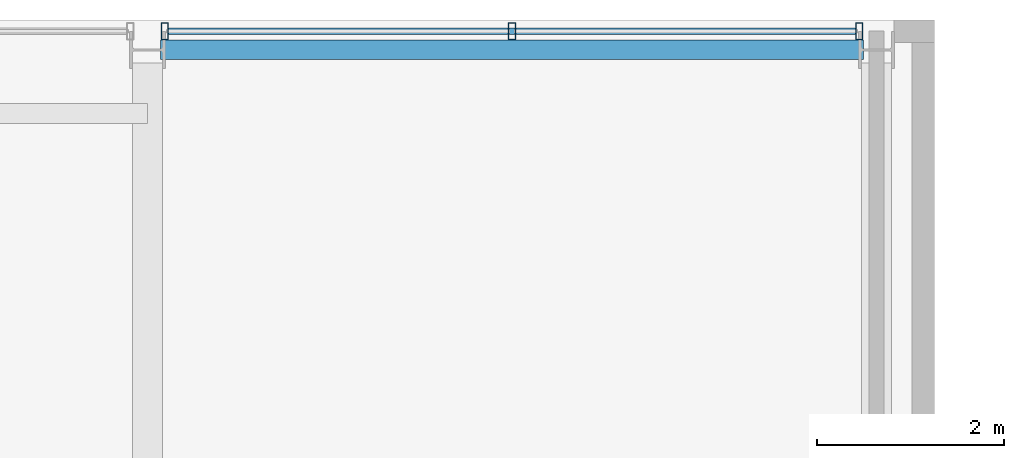
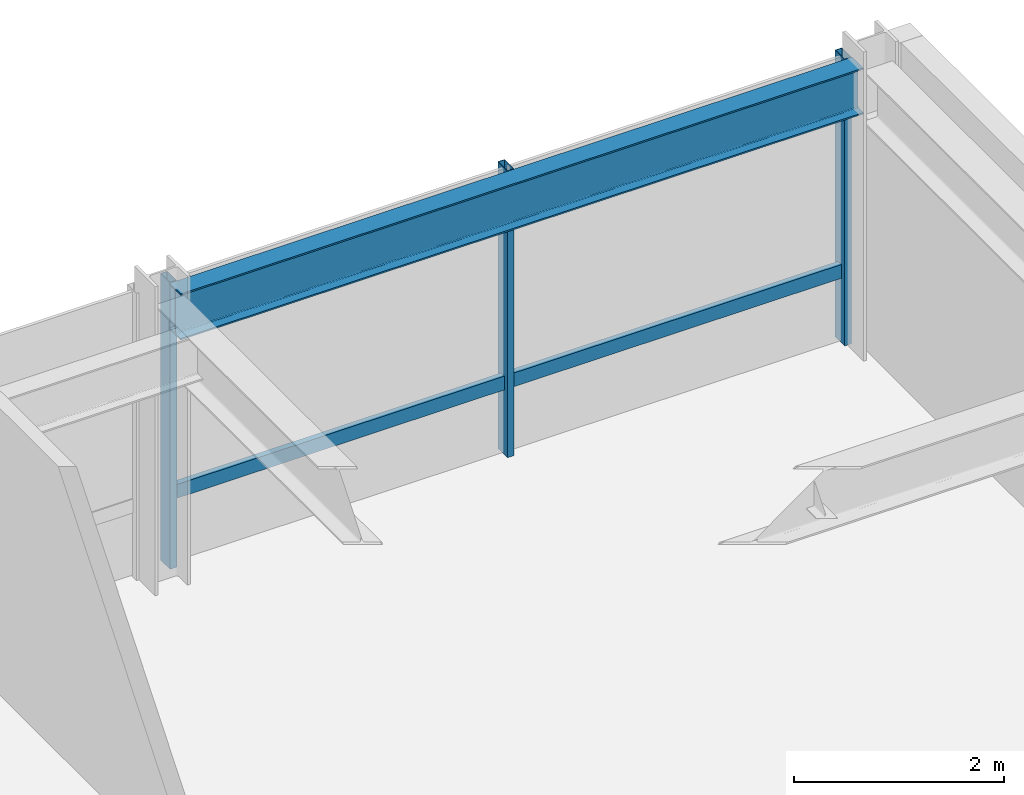
# One storey, part 24 of 32: 4 members, 1 beam, 1 element without a shape of its own.
"""IFC4 building model written with IfcOpenShell, lengths in metres."""

from ifc_helpers import new_model, si_unit, direction, frame, origin, origin_2d, place, context, subcontext, project, spatial, hollow_rectangle, i_section, extrude, material, layer, layer_set, material_profile, profile_set, type_object, element, aggregate, save


model = new_model("IFC4")

# Units and contexts
model_context = context("Model", 3, precision=1e-05, world=origin(), true_north=direction((0.0, 1.0)))
body_context = subcontext(model_context, "Body", "Model", "MODEL_VIEW")
ifc_project = project(units=[si_unit("LENGTHUNIT", "METRE"), si_unit("AREAUNIT", "SQUARE_METRE"), si_unit("VOLUMEUNIT", "CUBIC_METRE"), si_unit("PLANEANGLEUNIT", "RADIAN"), si_unit("MASSUNIT", "GRAM", prefix="KILO")], contexts=[model_context])

# Site, building, storey
site_placement = place(None, origin())
site = spatial("IfcSite", under=ifc_project, at=site_placement, CompositionType="ELEMENT")
building_placement = place(site_placement, origin())
building = spatial("IfcBuilding", under=site, at=building_placement, Name="Drelvath Grand Hotel", CompositionType="ELEMENT")
storey_placement = place(building_placement, frame((0.0, 0.0, 226.699951171875)))
storey = spatial("IfcBuildingStorey", under=building, at=storey_placement, Name="L59", CompositionType="ELEMENT", Elevation=226.699951171875)

# Curtain wall, members
ifc_material_1 = material(Name="Platinum-Mist Anodised Aluminium Frame", Category="aluminium")
ifc_layer = layer(ifc_material_1, 0.199951171875)
ifc_layer_set = layer_set([ifc_layer], Name="Platinum-Mist Anodised Aluminium Frame")
curtain_wall_type = type_object("IfcCurtainWallType", Name="Stick Curtain Wall CW-05 Platinum Mist High-Rise", PredefinedType="NOTDEFINED", material=ifc_layer_set)
curtain_wall_placement = place(storey_placement, origin())
curtain_wall = element("IfcCurtainWall", 1, at=curtain_wall_placement, inside=storey, type_object=curtain_wall_type, Name="L59 CW-05 Curtain Wall CW05-L59-NE2", PredefinedType="NOTDEFINED")
ifc_material_profile_1 = material_profile(ifc_material_1, hollow_rectangle(XDim=0.06494140625, YDim=0.159912109375, WallThickness=0.00390625, at=origin_2d()), Name="HSS160X65X4")
ifc_profile_set_1 = profile_set([ifc_material_profile_1], Name="Platinum-Mist Anodised Aluminium Frame")
member_type_1 = type_object("IfcMemberType", Name="Curtain Wall Horizontal Transom CW-05 HSS160X65X4", PredefinedType="USERDEFINED", material=ifc_profile_set_1)
member_1_placement = place(storey_placement, frame((8.625244140625, 49.080078125, 0.8349609375), z_axis=(1.0, 0.0, 0.0), x_axis=(0.0, 1.0, 0.0)))
member_1 = element("IfcMember", 2, at=member_1_placement, type_object=member_type_1, Name="CW05-L59-NE2 Sill Transom", ObjectType="TRANSOM", PredefinedType="USERDEFINED", context=body_context, shape_type="SweptSolid", body=[
    extrude(hollow_rectangle(XDim=0.06494140625, YDim=0.159912109375, WallThickness=0.00390625, at=origin_2d()), origin(), (0.0, 0.0, 1.0), 7.349365234375),
])
ifc_material_profile_2 = material_profile(ifc_material_1, hollow_rectangle(XDim=0.074951171875, YDim=0.179931640625, WallThickness=0.0048828125, at=origin_2d()), Name="HSS180X75X5")
ifc_profile_set_2 = profile_set([ifc_material_profile_2], Name="Platinum-Mist Anodised Aluminium Frame")
member_type_2 = type_object("IfcMemberType", Name="Curtain Wall Vertical Mullion CW-05 HSS180X75X5", PredefinedType="MULLION", material=ifc_profile_set_2)
member_2_placement = place(storey_placement, frame((8.585205078125, 49.080078125, 0.0), z_axis=(0.0, 0.0, 1.0), x_axis=(1.0, 0.0, 0.0)))
member_2 = element("IfcMember", 3, at=member_2_placement, type_object=member_type_2, Name="CW05-L59-NE2 Mullion 1", PredefinedType="MULLION", context=body_context, shape_type="SweptSolid", body=[
    extrude(hollow_rectangle(XDim=0.074951171875, YDim=0.179931640625, WallThickness=0.0048828125, at=origin_2d()), origin(), (0.0, 0.0, 1.0), 3.340087890625),
])
member_3_placement = place(storey_placement, frame((12.300048828125, 49.080078125, 0.0), z_axis=(0.0, 0.0, 1.0), x_axis=(1.0, 0.0, 0.0)))
member_3 = element("IfcMember", 4, at=member_3_placement, type_object=member_type_2, Name="CW05-L59-NE2 Mullion 2", PredefinedType="MULLION", context=body_context, shape_type="SweptSolid", body=[
    extrude(hollow_rectangle(XDim=0.074951171875, YDim=0.179931640625, WallThickness=0.0048828125, at=origin_2d()), origin(), (0.0, 0.0, 1.0), 3.340087890625),
])
member_4_placement = place(storey_placement, frame((16.0146484375, 49.080078125, 0.0), z_axis=(0.0, 0.0, 1.0), x_axis=(1.0, 0.0, 0.0)))
member_4 = element("IfcMember", 5, at=member_4_placement, type_object=member_type_2, Name="CW05-L59-NE2 Mullion 3", PredefinedType="MULLION", context=body_context, shape_type="SweptSolid", body=[
    extrude(hollow_rectangle(XDim=0.074951171875, YDim=0.179931640625, WallThickness=0.0048828125, at=origin_2d()), origin(), (0.0, 0.0, 1.0), 3.340087890625),
])
aggregate(curtain_wall, [member_2, member_3, member_4, member_1])

# Beam
ifc_material_2 = material(Name="Steel ASTM A992 Gr 50", Category="steel")
ifc_material_profile_3 = material_profile(ifc_material_2, i_section(OverallWidth=0.210205078125, OverallDepth=0.53662109375, WebThickness=0.010986328125, FlangeThickness=0.017333984375, FilletRadius=0.01806640625, at=origin_2d()), Name="W21X68")
ifc_profile_set_3 = profile_set([ifc_material_profile_3], Name="Steel ASTM A992 Gr 50")
beam_type = type_object("IfcBeamType", Name="Perimeter Spandrel Beam W21X68", PredefinedType="SPANDREL", material=ifc_profile_set_3)
beam_placement = place(storey_placement, frame((8.5400390625, 48.8798828125, 3.071533203125), z_axis=(1.0, 0.0, 0.0), x_axis=(0.0, 1.0, 0.0)))
element("IfcBeam", 6, at=beam_placement, inside=storey, type_object=beam_type, Name="L59 Spandrel North E", PredefinedType="SPANDREL", context=body_context, shape_type="SweptSolid", body=[
    extrude(i_section(OverallWidth=0.210205078125, OverallDepth=0.53662109375, WebThickness=0.010986328125, FlangeThickness=0.017333984375, FilletRadius=0.01806640625, at=origin_2d()), origin(), (0.0, 0.0, 1.0), 7.52001953125),
])

save(model, "model.ifc")
